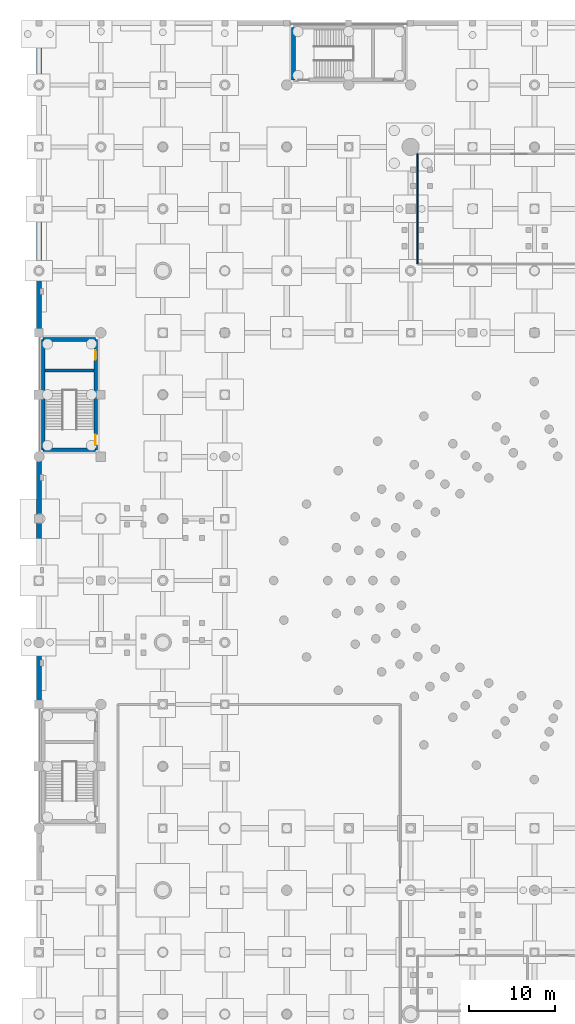
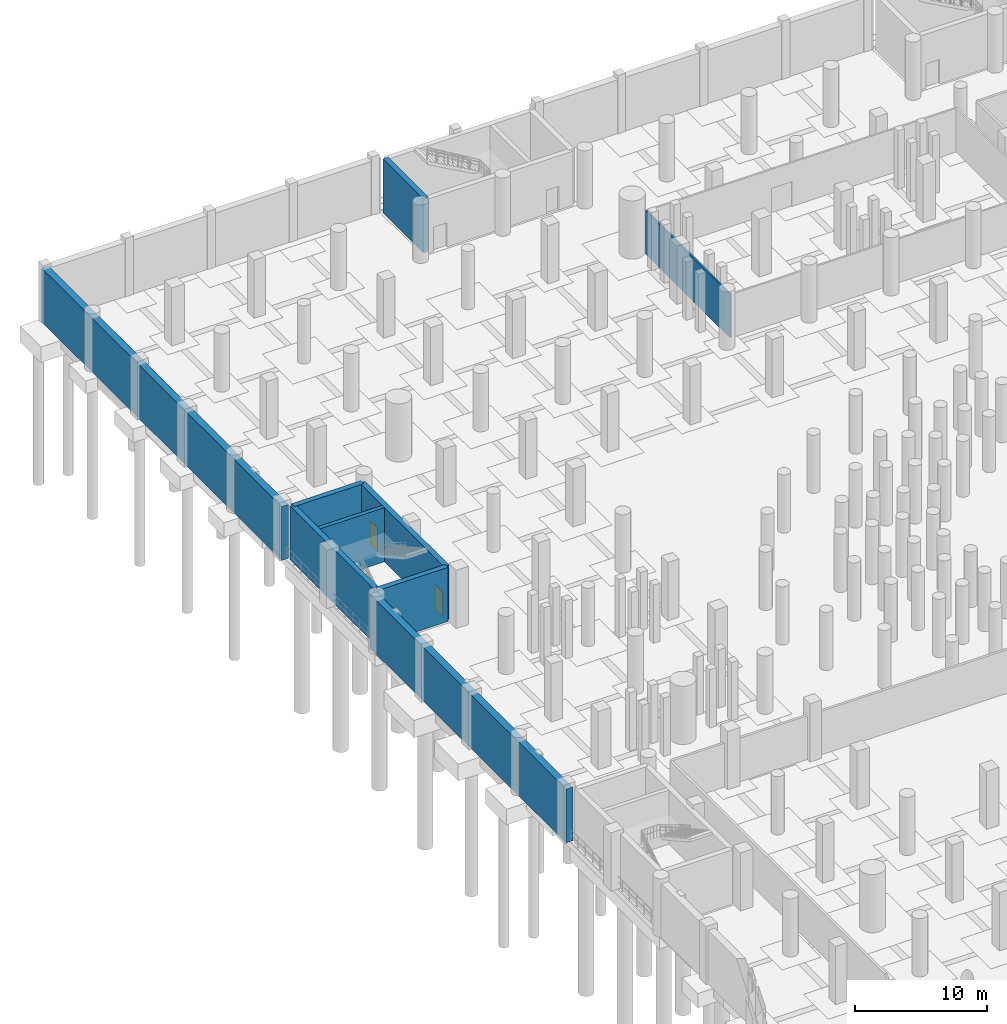
# One storey, part 25 of 37: 9 walls, 2 doors, 2 openings.
"""IFC4 building model written with IfcOpenShell, lengths in metres."""

import ifcopenshell
import ifcopenshell.guid

model = None  # the IFC model being written
_history = None  # IfcOwnerHistory: only IFC2X3 demands one
_inside = {}  # id of a spatial element -> (the spatial element, [elements in it])
_under = {}  # id of a project, library or spatial element -> (it, [spatial elements below it])
_declared = {}  # id of a project -> (the project, [libraries it declares])
_typed = {}  # id of a type object -> (the type object, [elements of that type])
_made_of = {}  # id of a material, layer set ... -> (it, [elements and type objects made of it])


def new_model(schema):
    """Start an empty IFC model of exactly this schema.

    Asked for "IFC4X3", IfcOpenShell would pick the latest addendum, in which some entities
    have other attributes; the version numbers below select the first issue.
    IFC2X3 requires an IfcOwnerHistory on every rooted entity: one is made here for all.
    """
    global model, _history
    if schema == "IFC4X3":
        model = ifcopenshell.file(schema_version=(4, 3, 0, 0))
    else:
        model = ifcopenshell.file(schema=schema)
    _inside.clear()
    _under.clear()
    _declared.clear()
    _typed.clear()
    _made_of.clear()
    _history = None
    if model.schema == "IFC2X3":
        org = make("IfcOrganization", Name="unknown")
        user = make(
            "IfcPersonAndOrganization",
            ThePerson=make("IfcPerson", FamilyName="unknown"),
            TheOrganization=org,
        )
        app = make(
            "IfcApplication",
            ApplicationDeveloper=org,
            Version="unknown",
            ApplicationFullName="unknown",
            ApplicationIdentifier="unknown",
        )
        _history = make(
            "IfcOwnerHistory",
            OwningUser=user,
            OwningApplication=app,
            ChangeAction="ADDED",
            CreationDate=0,
        )
    return model


def make(cls, **values):
    """One entity of the class cls with the attributes given. An attribute that is None is left unset."""
    return model.create_entity(
        cls, **{name: value for name, value in values.items() if value is not None}
    )


def rooted(cls, **values):
    """An entity with a GlobalId (a new one), such as an element, a storey or a relation."""
    return make(cls, GlobalId=ifcopenshell.guid.new(), OwnerHistory=_history, **values)


def si_unit(unit_type, name, prefix=None):
    """IfcSIUnit, for example si_unit("LENGTHUNIT", "METRE", prefix="MILLI")."""
    return make("IfcSIUnit", UnitType=unit_type, Prefix=prefix, Name=name)


def assignment(units):
    """IfcUnitAssignment: the units of a project."""
    return None if units is None else make("IfcUnitAssignment", Units=units)


def point(xyz):
    """IfcCartesianPoint."""
    return None if xyz is None else make("IfcCartesianPoint", Coordinates=xyz)


def direction(xyz):
    """IfcDirection."""
    return None if xyz is None else make("IfcDirection", DirectionRatios=xyz)


def frame(location, z_axis=None, x_axis=None):
    """IfcAxis2Placement3D, a coordinate frame: its origin and axes. An axis left out is left unset."""
    return make(
        "IfcAxis2Placement3D",
        Location=point(location),
        Axis=direction(z_axis),
        RefDirection=direction(x_axis),
    )


def frame_2d(location, x_axis=None):
    """IfcAxis2Placement2D, a coordinate frame in the plane: its origin and x axis."""
    return make(
        "IfcAxis2Placement2D", Location=point(location), RefDirection=direction(x_axis)
    )


def origin():
    """The frame at (0, 0, 0) with its axes left unset."""
    return frame((0.0, 0.0, 0.0))


def place(relative_to, where):
    """IfcLocalPlacement: puts the frame where relative to a parent placement (None: the world)."""
    return make(
        "IfcLocalPlacement", PlacementRelTo=relative_to, RelativePlacement=where
    )


def context(
    kind, dimensions, precision=None, world=None, true_north=None, identifier=None
):
    """IfcGeometricRepresentationContext, for example the 3D "Model" context."""
    return make(
        "IfcGeometricRepresentationContext",
        ContextIdentifier=identifier,
        ContextType=kind,
        CoordinateSpaceDimension=dimensions,
        Precision=precision,
        WorldCoordinateSystem=world,
        TrueNorth=true_north,
    )


def subcontext(parent, identifier, kind, view, scale=None):
    """IfcGeometricRepresentationSubContext, for example "Body" below "Model"."""
    return make(
        "IfcGeometricRepresentationSubContext",
        ContextIdentifier=identifier,
        ContextType=kind,
        ParentContext=parent,
        TargetScale=scale,
        TargetView=view,
    )


def project(units=None, contexts=None):
    """IfcProject with its units and contexts."""
    return rooted(
        "IfcProject",
        Name="project",
        RepresentationContexts=contexts,
        UnitsInContext=assignment(units),
    )


def spatial(cls, under=None, at=None, **own):
    """A site, building, storey or space (cls), placed at a placement, below another one or the project."""
    s = rooted(cls, ObjectPlacement=at, **own)
    if under is not None:
        _under.setdefault(under.id(), (under, []))[1].append(s)
    return s


def profile(cls, at=None, kind="AREA", **sizes):
    """A parametric profile (cls). Its sizes go by their IFC names, for example OverallWidth=200.0."""
    return make(cls, ProfileType=kind, Position=at, **sizes)


def rectangle(**sizes):
    """IfcRectangleProfileDef."""
    return profile("IfcRectangleProfileDef", **sizes)


def extrude(swept, where, along, depth):
    """IfcExtrudedAreaSolid: the profile swept, set in the frame where, extruded along a direction by depth."""
    return make(
        "IfcExtrudedAreaSolid",
        SweptArea=swept,
        Position=where,
        ExtrudedDirection=direction(along),
        Depth=depth,
    )


def shape(context_of_items, identifier, shape_type, items):
    """IfcShapeRepresentation: the items that make up one representation, for example the "Body"."""
    return make(
        "IfcShapeRepresentation",
        ContextOfItems=context_of_items,
        RepresentationIdentifier=identifier,
        RepresentationType=shape_type,
        Items=items,
    )


def material(Name=None, Category=None):
    """IfcMaterial."""
    return make("IfcMaterial", Name=Name, Category=Category)


def layer(
    of_material, thickness, ventilated=None, Name=None, Category=None, Priority=None
):
    """IfcMaterialLayer: one layer of a wall or slab, of a material (None: an air gap)."""
    return make(
        "IfcMaterialLayer",
        Material=of_material,
        LayerThickness=thickness,
        IsVentilated=ventilated,
        Name=Name,
        Category=Category,
        Priority=Priority,
    )


def layer_set(layers, Name=None):
    """IfcMaterialLayerSet."""
    return make("IfcMaterialLayerSet", MaterialLayers=layers, LayerSetName=Name)


def made_of(thing, what):
    """Note that an element or type object is made of a material, layer set ...; save() writes the relation."""
    if what is not None:
        _made_of.setdefault(what.id(), (what, []))[1].append(thing)
    return thing


def type_object(cls, material=None, **own):
    """A type object (cls), such as IfcWallType, which elements share."""
    return made_of(rooted(cls, **own), material)


def element(
    cls,
    number,
    at=None,
    inside=None,
    cuts=None,
    type_object=None,
    material=None,
    context=None,
    identifier="Body",
    shape_type=None,
    held_by="IfcProductDefinitionShape",
    body=None,
    shapes=None,
    **own,
):
    """One element of the class cls, such as IfcWall. Its Tag is "e" and its number.

    at: its placement. inside: the storey or other place that contains it. cuts: it is an
    opening in that element (IfcRelVoidsElement). A single representation is given by context,
    identifier, shape_type and body (its items); several are given by shapes. held_by: the class
    of the entity that holds the representations. save() writes the other relations.
    """
    e = rooted(cls, Tag="e%d" % number, ObjectPlacement=at, **own)
    if body is not None:
        shapes = [shape(context, identifier, shape_type, body)]
    if shapes is not None:
        e.Representation = make(held_by, Representations=shapes)
    if inside is not None:
        _inside.setdefault(inside.id(), (inside, []))[1].append(e)
    if cuts is not None:
        rooted(
            "IfcRelVoidsElement", RelatingBuildingElement=cuts, RelatedOpeningElement=e
        )
    if type_object is not None:
        _typed.setdefault(type_object.id(), (type_object, []))[1].append(e)
    return made_of(e, material)


def fill(opening, filler):
    """IfcRelFillsElement: the door or window that sits in an opening."""
    return rooted(
        "IfcRelFillsElement",
        RelatingOpeningElement=opening,
        RelatedBuildingElement=filler,
    )


def aggregate(whole, parts):
    """IfcRelAggregates: a whole, such as a stair, and the parts it consists of."""
    return rooted("IfcRelAggregates", RelatingObject=whole, RelatedObjects=parts)


def save(model, path):
    """Write the relations noted so far, then the file.

    IfcRelAggregates (storeys below a building ...), IfcRelContainedInSpatialStructure (elements
    in a storey), IfcRelDefinesByType, IfcRelAssociatesMaterial and IfcRelDeclares: one each for
    every whole, place, type object, material and project.
    """
    for whole, parts in _under.values():
        aggregate(whole, parts)
    for where, things in _inside.values():
        rooted(
            "IfcRelContainedInSpatialStructure",
            RelatedElements=things,
            RelatingStructure=where,
        )
    for kind, things in _typed.values():
        rooted("IfcRelDefinesByType", RelatedObjects=things, RelatingType=kind)
    for what, things in _made_of.values():
        rooted("IfcRelAssociatesMaterial", RelatedObjects=things, RelatingMaterial=what)
    for by, libraries in _declared.values():
        rooted("IfcRelDeclares", RelatingContext=by, RelatedDefinitions=libraries)
    model.write(path)


model = new_model("IFC4")

# Units and contexts
model_context = context("Model", 3, precision=1e-05, world=origin(), true_north=direction((0.0, 1.0)))
body_context = subcontext(model_context, "Body", "Model", "MODEL_VIEW")
ifc_project = project(units=[si_unit("LENGTHUNIT", "METRE"), si_unit("AREAUNIT", "SQUARE_METRE"), si_unit("VOLUMEUNIT", "CUBIC_METRE"), si_unit("PLANEANGLEUNIT", "RADIAN"), si_unit("MASSUNIT", "GRAM", prefix="KILO")], contexts=[model_context])

# Site, building, storey
site_placement = place(None, origin())
site = spatial("IfcSite", under=ifc_project, at=site_placement, CompositionType="ELEMENT")
building_placement = place(site_placement, origin())
building = spatial("IfcBuilding", under=site, at=building_placement, Name="Qandorah Velis Arena", CompositionType="ELEMENT")
storey_placement = place(building_placement, frame((0.0, 0.0, -5.39990234375)))
storey = spatial("IfcBuildingStorey", under=building, at=storey_placement, Name="B1", CompositionType="ELEMENT", Elevation=-5.39990234375)

# Walls
ifc_material_1 = material(Name="Concrete C35/45", Category="concrete")
ifc_layer_1 = layer(ifc_material_1, 0.14990234375)
ifc_layer_set_1 = layer_set([ifc_layer_1], Name="Concrete C35/45")
wall_type_1 = type_object("IfcWallType", Name="ARC-WAL-PART150", PredefinedType="PARTITIONING", material=ifc_layer_set_1)
wall_1_placement = place(storey_placement, frame((44.0, 114.39990234375, 0.0), z_axis=(0.0, 0.0, 1.0), x_axis=(0.0, -1.0, 0.0)))
element("IfcWall", 1, at=wall_1_placement, inside=storey, type_object=wall_type_1, Name="Interior partition B1-PRS-INT (W)", PredefinedType="PARTITIONING", context=body_context, shape_type="SweptSolid", body=[
    extrude(rectangle(XDim=12.7998046875, YDim=0.14990234375, at=frame_2d((6.39990234375, 0.0))), origin(), (0.0, 0.0, 1.0), 4.039794921875),
])
ifc_material_2 = material(Name="Concrete C40/50", Category="concrete")
ifc_layer_2 = layer(ifc_material_2, 0.449951171875)
ifc_layer_set_2 = layer_set([ifc_layer_2], Name="Concrete C40/50")
wall_type_2 = type_object("IfcWallType", Name="STR-WAL-CORE450", PredefinedType="SHEAR", material=ifc_layer_set_2)
for number, where, z_axis, x_axis, name in (
    (2, (29.60009765625, 123.0, 0.0), (0.0, 0.0, 1.0), (0.0, 1.0, 0.0), "Core CORE-03 shear wall W (B1)"),
    (3, (0.5, 80.0, 0.0), (0.0, 0.0, 1.0), (1.0, 0.0, 0.0), "Core CORE-06 shear wall S (B1)"),
    (4, (0.5, 92.800048828125, 0.0), (0.0, 0.0, 1.0), (1.0, 0.0, 0.0), "Core CORE-06 shear wall N (B1)"),
):
    element("IfcWall", number, at=place(storey_placement, frame(where, z_axis=z_axis, x_axis=x_axis)), inside=storey, type_object=wall_type_2, Name=name, PredefinedType="SHEAR", context=body_context, shape_type="SweptSolid", body=[
        extrude(rectangle(XDim=6.10009765625, YDim=0.449951171875, at=frame_2d((3.050048828125, 0.0))), origin(), (0.0, 0.0, 1.0), 5.02001953125),
    ])
wall_2_placement = place(storey_placement, frame((0.5, 80.0, 0.0), z_axis=(0.0, 0.0, 1.0), x_axis=(0.0, 1.0, 0.0)))
element("IfcWall", 5, at=wall_2_placement, inside=storey, type_object=wall_type_2, Name="Core CORE-06 shear wall W (B1)", PredefinedType="SHEAR", context=body_context, shape_type="SweptSolid", body=[
    extrude(rectangle(XDim=12.800048828125, YDim=0.449951171875, at=frame_2d((6.39990234375, 0.0))), origin(), (0.0, 0.0, 1.0), 5.02001953125),
])

# Wall, openings, doors
wall_3_placement = place(storey_placement, frame((6.60009765625, 80.0, 0.0), z_axis=(0.0, 0.0, 1.0), x_axis=(0.0, 1.0, 0.0)))
wall_3 = element("IfcWall", 6, at=wall_3_placement, inside=storey, type_object=wall_type_2, Name="Core CORE-06 shear wall E (B1)", PredefinedType="SHEAR", context=body_context, shape_type="SweptSolid", body=[
    extrude(rectangle(XDim=12.800048828125, YDim=0.449951171875, at=frame_2d((6.39990234375, 0.0))), origin(), (0.0, 0.0, 1.0), 5.02001953125),
])
opening_1_placement = place(wall_3_placement, frame((0.550048828125, 0.0, 0.0)))
opening_1 = element("IfcOpeningElement", 7, at=opening_1_placement, cuts=wall_3, Name="Opening SD1", PredefinedType="OPENING", context=body_context, shape_type="SweptSolid", body=[
    extrude(rectangle(XDim=1.199951171875, YDim=2.25, at=frame_2d((0.60009765625, 1.125))), frame((0.0, 0.23486328125, 0.0), z_axis=(0.0, -1.0, 0.0), x_axis=(1.0, 0.0, 0.0)), (0.0, 0.0, 1.0), 0.469970703125),
])
opening_2_placement = place(wall_3_placement, frame((10.4580078125, 0.0, 0.0)))
opening_2 = element("IfcOpeningElement", 8, at=opening_2_placement, cuts=wall_3, Name="Opening LD1", PredefinedType="OPENING", context=body_context, shape_type="SweptSolid", body=[
    extrude(rectangle(XDim=1.10009765625, YDim=2.199951171875, at=frame_2d((0.550048828125, 1.10009765625))), frame((0.0, 0.23486328125, 0.0), z_axis=(0.0, -1.0, 0.0), x_axis=(1.0, 0.0, 0.0)), (0.0, 0.0, 1.0), 0.469970703125),
])
ifc_material_3 = material(Name="Stainless steel sliding lift landing door", Category="steel")
door_type_1 = type_object("IfcDoorType", Name="ARC-DR-LD1100", OperationType="NOTDEFINED", PredefinedType="DOOR", material=ifc_material_3)
door_1_placement = place(opening_2_placement, origin())
door_1 = element("IfcDoor", 9, at=door_1_placement, inside=storey, type_object=door_type_1, Name="Lift PL4 sliding landing door (B1)", OperationType="SLIDING_TO_LEFT", OverallHeight=2.199951171875, OverallWidth=1.10009765625, PredefinedType="DOOR", context=body_context, shape_type="SweptSolid", body=[
    extrude(rectangle(XDim=1.10009765625, YDim=2.199951171875, at=frame_2d((0.550048828125, 1.10009765625))), frame((0.0, 0.02490234375, 0.0), z_axis=(0.0, -1.0, 0.0), x_axis=(1.0, 0.0, 0.0)), (0.0, 0.0, 1.0), 0.050048828125),
])
fill(opening_2, door_1)
ifc_material_4 = material(Name="Self-closing fire-rated stair steel door", Category="steel")
door_type_2 = type_object("IfcDoorType", Name="ARC-DR-ST1200", OperationType="NOTDEFINED", PredefinedType="DOOR", material=ifc_material_4)
door_2_placement = place(opening_1_placement, origin())
door_2 = element("IfcDoor", 10, at=door_2_placement, inside=storey, type_object=door_type_2, Name="Stair ST6 fire door (B1)", OperationType="SINGLE_SWING_RIGHT", OverallHeight=2.25, OverallWidth=1.199951171875, PredefinedType="DOOR", context=body_context, shape_type="SweptSolid", body=[
    extrude(rectangle(XDim=1.199951171875, YDim=2.25, at=frame_2d((0.60009765625, 1.125))), frame((0.0, 0.02490234375, 0.0), z_axis=(0.0, -1.0, 0.0), x_axis=(1.0, 0.0, 0.0)), (0.0, 0.0, 1.0), 0.050048828125),
])
fill(opening_1, door_2)

# Walls
ifc_layer_3 = layer(ifc_material_2, 0.60009765625)
ifc_layer_set_3 = layer_set([ifc_layer_3], Name="Concrete C40/50")
wall_type_3 = type_object("IfcWallType", Name="STR-WAL-RET600", PredefinedType="USERDEFINED", material=ifc_layer_set_3)
wall_4_placement = place(storey_placement, frame((0.0, 49.89990234375, 0.0), z_axis=(0.0, 0.0, 1.0), x_axis=(0.0, 1.0, 0.0)))
element("IfcWall", 11, at=wall_4_placement, inside=storey, type_object=wall_type_3, Name="Basement retaining wall RET-W2", ObjectType="RETAINING WALL", PredefinedType="USERDEFINED", context=body_context, shape_type="SweptSolid", body=[
    extrude(rectangle(XDim=29.800048828125, YDim=0.60009765625, at=frame_2d((14.89990234375, 0.0))), origin(), (0.0, 0.0, 1.0), 4.97998046875),
])
wall_5_placement = place(storey_placement, frame((0.0, 93.10009765625, 0.0), z_axis=(0.0, 0.0, 1.0), x_axis=(0.0, 1.0, 0.0)))
element("IfcWall", 12, at=wall_5_placement, inside=storey, type_object=wall_type_3, Name="Basement retaining wall RET-W3", ObjectType="RETAINING WALL", PredefinedType="USERDEFINED", context=body_context, shape_type="SweptSolid", body=[
    extrude(rectangle(XDim=36.5, YDim=0.60009765625, at=frame_2d((18.25, 0.0))), origin(), (0.0, 0.0, 1.0), 4.97998046875),
])
ifc_layer_4 = layer(ifc_material_2, 0.35009765625)
ifc_layer_set_4 = layer_set([ifc_layer_4], Name="Concrete C40/50")
wall_type_4 = type_object("IfcWallType", Name="STR-WAL-SH350", PredefinedType="SHEAR", material=ifc_layer_set_4)
wall_6_placement = place(storey_placement, frame((0.72509765625, 89.216064453125, 0.0), z_axis=(0.0, 0.0, 1.0), x_axis=(1.0, 0.0, 0.0)))
element("IfcWall", 13, at=wall_6_placement, inside=storey, type_object=wall_type_4, Name="Core CORE-06 shaft divider shear wall (B1)", PredefinedType="SHEAR", context=body_context, shape_type="SweptSolid", body=[
    extrude(rectangle(XDim=5.64990234375, YDim=0.35009765625, at=frame_2d((2.824951171875, 0.0))), origin(), (0.0, 0.0, 1.0), 5.02001953125),
])

save(model, "model.ifc")
